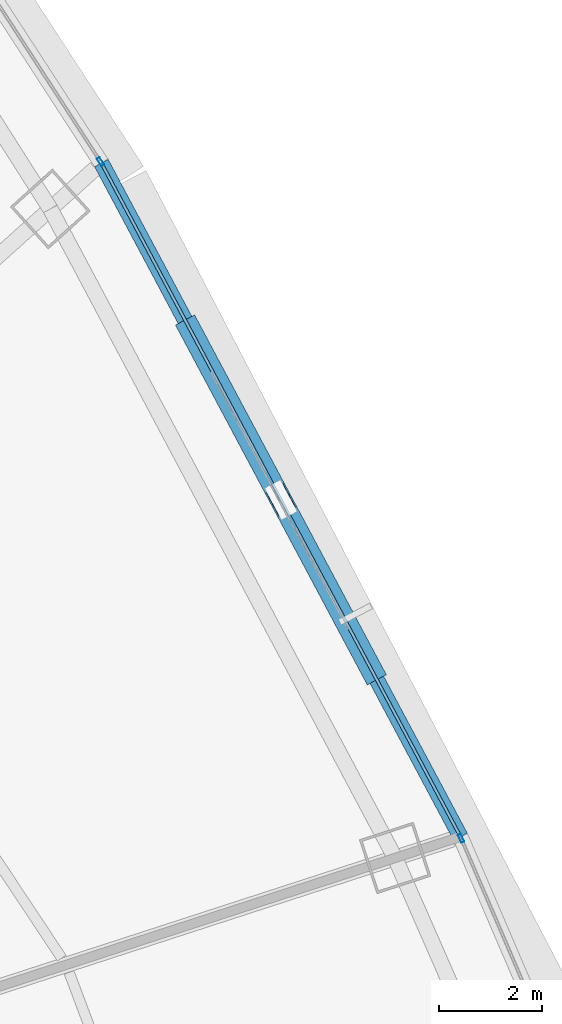
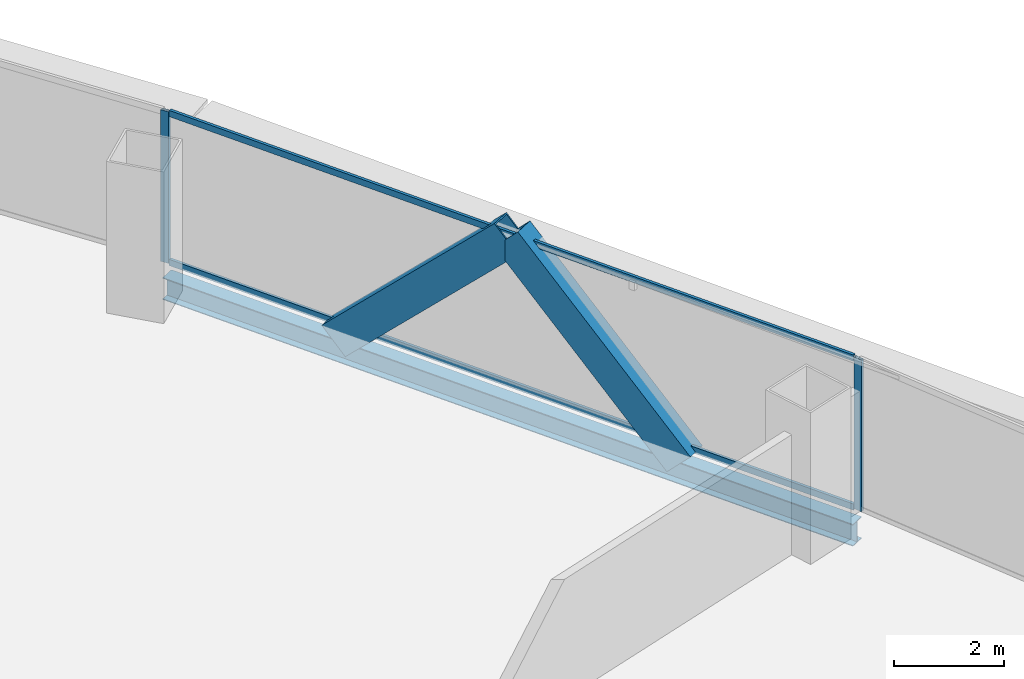
# One storey, part 24 of 37: 6 members, 1 beam, 3 elements without a shape of their own.
"""IFC4 building model written with IfcOpenShell, lengths in metres."""

from ifc_helpers import new_model, si_unit, direction, frame, origin, origin_2d, place, context, subcontext, project, spatial, hollow_rectangle, i_section, extrude, source, transform, mapped, material, layer, layer_set, material_profile, profile_set, type_object, element, aggregate, save


model = new_model("IFC4")

# Units and contexts
model_context = context("Model", 3, precision=1e-05, world=origin(), true_north=direction((0.0, 1.0)))
body_context = subcontext(model_context, "Body", "Model", "MODEL_VIEW")
ifc_project = project(units=[si_unit("LENGTHUNIT", "METRE"), si_unit("AREAUNIT", "SQUARE_METRE"), si_unit("VOLUMEUNIT", "CUBIC_METRE"), si_unit("PLANEANGLEUNIT", "RADIAN"), si_unit("MASSUNIT", "GRAM", prefix="KILO"), si_unit("THERMODYNAMICTEMPERATUREUNIT", "KELVIN"), si_unit("POWERUNIT", "WATT")], contexts=[model_context])

# Site, building, storey
site_placement = place(None, origin())
site = spatial("IfcSite", under=ifc_project, at=site_placement, CompositionType="ELEMENT")
building_placement = place(site_placement, origin())
building = spatial("IfcBuilding", under=site, at=building_placement, Name="Yunzhuo Pagoda Commons", CompositionType="ELEMENT")
storey_placement = place(building_placement, frame((0.0, 0.0, 52.179931640625)))
storey = spatial("IfcBuildingStorey", under=building, at=storey_placement, Name="L13", CompositionType="ELEMENT", Elevation=52.179931640625)

# Beam
ifc_material_1 = material(Name="Structural steel Q355B", Category="steel")
ifc_material_profile_1 = material_profile(ifc_material_1, i_section(OverallWidth=0.300048828125, OverallDepth=0.488037109375, WebThickness=0.010986328125, FlangeThickness=0.01806640625, at=origin_2d()), Name="Structural steel Q355B")
ifc_profile_set_1 = profile_set([ifc_material_profile_1], Name="Structural steel Q355B")
beam_type = type_object("IfcBeamType", Name="B-SP1 Beam HM 488x300x11x18", PredefinedType="BEAM", material=ifc_profile_set_1)
shared_shape_1 = source(origin(), body_context, "Body", "SweptSolid", [
    extrude(i_section(OverallWidth=0.300048828125, OverallDepth=0.488037109375, WebThickness=0.010986328125, FlangeThickness=0.01806640625, at=origin_2d()), origin(), (0.0, 0.0, 1.0), 14.806884765625),
])
beam_placement = place(storey_placement, frame((81.602783203125, 44.618408203125, -0.50390625), z_axis=(-0.470363145456, 0.882472952218, 0.0), x_axis=(-0.882472952218, -0.470363145456, 0.0)))
element("IfcBeam", 1, at=beam_placement, inside=storey, type_object=beam_type, Name="L13 facade edge spandrel beam F2.2", PredefinedType="BEAM", context=body_context, shape_type="MappedRepresentation", body=[
    mapped(shared_shape_1, transform((0.0, 0.0, 0.0), scale=1.0)),
])

# Members
ifc_material_2 = material(Name="Structural steel Q420B", Category="steel")
ifc_material_profile_2 = material_profile(ifc_material_2, hollow_rectangle(XDim=0.419921875, YDim=0.719970703125, WallThickness=0.028076171875, at=origin_2d()), Name="Structural steel Q420B")
ifc_profile_set_2 = profile_set([ifc_material_profile_2], Name="Structural steel Q420B")
member_type_1 = type_object("IfcMemberType", Name="M-DL1 Brace BOX 720x420x28", PredefinedType="BRACE", material=ifc_profile_set_2)
shared_shape_2 = source(origin(), body_context, "Body", "SweptSolid", [
    extrude(hollow_rectangle(XDim=0.419921875, YDim=0.719970703125, WallThickness=0.028076171875, at=origin_2d()), origin(), (0.0, 0.0, 1.0), 5.1845703125),
])
member_1_placement = place(storey_placement, frame((79.86181640625, 47.885009765625, -0.260009765625), z_axis=(-0.33579955389, 0.630065633299, 0.700182802804), x_axis=(-0.88248983647, -0.470331466657, 0.0)))
element("IfcMember", 2, at=member_1_placement, inside=storey, type_object=member_type_1, Name="L13 facade diamond brace F2.2L", PredefinedType="BRACE", context=body_context, shape_type="MappedRepresentation", body=[
    mapped(shared_shape_2, transform((0.0, 0.0, 0.0), scale=1.0)),
])
shared_shape_3 = source(origin(), body_context, "Body", "SweptSolid", [
    extrude(hollow_rectangle(XDim=0.419921875, YDim=0.719970703125, WallThickness=0.028076171875, at=origin_2d()), origin(), (0.0, 0.0, 1.0), 5.184814453125),
])
member_2_placement = place(storey_placement, frame((76.379638671875, 54.41845703125, -0.260009765625), z_axis=(0.335831369084, -0.630084064739, 0.700150957223), x_axis=(0.882477051666, 0.470355454187, 0.0)))
element("IfcMember", 3, at=member_2_placement, inside=storey, type_object=member_type_1, Name="L13 facade diamond brace F2.2R", PredefinedType="BRACE", context=body_context, shape_type="MappedRepresentation", body=[
    mapped(shared_shape_3, transform((0.0, 0.0, 0.0), scale=1.0)),
])

# Curtain wall, member
ifc_material_3 = material(Name="Anodized aluminium 6063-T6", Category="aluminium")
ifc_layer = layer(ifc_material_3, 0.1650390625)
ifc_layer_set = layer_set([ifc_layer], Name="Anodized aluminium 6063-T6")
curtain_wall_type = type_object("IfcCurtainWallType", Name="CW-LOW Low-Zone Ribbon Curtain Wall", PredefinedType="NOTDEFINED", material=ifc_layer_set)
curtain_wall_1_placement = place(storey_placement, origin())
curtain_wall_1 = element("IfcCurtainWall", 4, at=curtain_wall_1_placement, inside=storey, type_object=curtain_wall_type, Name="L13 curtain wall CW-L13-F2B2", PredefinedType="NOTDEFINED")
ifc_material_profile_3 = material_profile(ifc_material_3, hollow_rectangle(XDim=0.06494140625, YDim=0.1650390625, WallThickness=0.00390625, at=origin_2d()), Name="Anodized aluminium 6063-T6")
ifc_profile_set_3 = profile_set([ifc_material_profile_3], Name="Anodized aluminium 6063-T6")
member_type_2 = type_object("IfcMemberType", Name="CW-LOW-M Mullion RHS 165x65x4", PredefinedType="MULLION", material=ifc_profile_set_3)
shared_shape_4 = source(origin(), body_context, "Body", "SweptSolid", [
    extrude(hollow_rectangle(XDim=0.06494140625, YDim=0.1650390625, WallThickness=0.00390625, at=origin_2d()), origin(), (0.0, 0.0, 1.0), 3.3701171875),
])
member_3_placement = place(storey_placement, frame((81.61572265625, 44.58837890625, 0.0), z_axis=(0.0, 0.0, 1.0), x_axis=(-0.918993139703, -0.394273520769, 0.0)))
member_3 = element("IfcMember", 5, at=member_3_placement, type_object=member_type_2, Name="CW mullion 2", PredefinedType="MULLION", context=body_context, shape_type="MappedRepresentation", body=[
    mapped(shared_shape_4, transform((0.0, 0.0, 0.0), scale=1.0)),
])
aggregate(curtain_wall_1, [member_3])

curtain_wall_2_placement = place(storey_placement, origin())
curtain_wall_2 = element("IfcCurtainWall", 6, at=curtain_wall_2_placement, inside=storey, type_object=curtain_wall_type, Name="L13 curtain wall CW-L13-F2B4", PredefinedType="NOTDEFINED")
member_4_placement = place(storey_placement, frame((74.620361328125, 57.71240234375, 0.0), z_axis=(0.0, 0.0, 1.0), x_axis=(-0.838776712394, -0.544475552018, 0.0)))
member_4 = element("IfcMember", 7, at=member_4_placement, type_object=member_type_2, Name="CW mullion 1", PredefinedType="MULLION", context=body_context, shape_type="MappedRepresentation", body=[
    mapped(shared_shape_4, transform((0.0, 0.0, 0.0), scale=1.0)),
])
aggregate(curtain_wall_2, [member_4])

# Curtain wall, members
curtain_wall_3_placement = place(storey_placement, origin())
curtain_wall_3 = element("IfcCurtainWall", 8, at=curtain_wall_3_placement, inside=storey, type_object=curtain_wall_type, Name="L13 curtain wall CW-L13-F2B3", PredefinedType="NOTDEFINED")
ifc_material_profile_4 = material_profile(ifc_material_3, hollow_rectangle(XDim=0.06005859375, YDim=0.139892578125, WallThickness=0.00341796875, at=origin_2d()), Name="Anodized aluminium 6063-T6")
ifc_profile_set_4 = profile_set([ifc_material_profile_4], Name="Anodized aluminium 6063-T6")
member_type_3 = type_object("IfcMemberType", Name="CW-LOW-T Transom RHS 140x60x3.5", PredefinedType="USERDEFINED", material=ifc_profile_set_4)
shared_shape_5 = source(origin(), body_context, "Body", "SweptSolid", [
    extrude(hollow_rectangle(XDim=0.06005859375, YDim=0.139892578125, WallThickness=0.00341796875, at=origin_2d()), origin(), (0.0, 0.0, 1.0), 14.677001953125),
])
member_5_placement = place(storey_placement, frame((81.572265625, 44.67578125, 0.030029296875), z_axis=(-0.470362882364, 0.882473092448, 0.0), x_axis=(-0.882473092448, -0.470362882364, 0.0)))
member_5 = element("IfcMember", 9, at=member_5_placement, type_object=member_type_3, Name="CW transom 1.1", ObjectType="TRANSOM", PredefinedType="USERDEFINED", context=body_context, shape_type="MappedRepresentation", body=[
    mapped(shared_shape_5, transform((0.0, 0.0, 0.0), scale=1.0)),
])
member_6_placement = place(storey_placement, frame((81.572265625, 44.67578125, 3.34033203125), z_axis=(-0.470362882364, 0.882473092448, 0.0), x_axis=(-0.882473092448, -0.470362882364, 0.0)))
member_6 = element("IfcMember", 10, at=member_6_placement, type_object=member_type_3, Name="CW transom 1.2", ObjectType="TRANSOM", PredefinedType="USERDEFINED", context=body_context, shape_type="MappedRepresentation", body=[
    mapped(shared_shape_5, transform((0.0, 0.0, 0.0), scale=1.0)),
])
aggregate(curtain_wall_3, [member_5, member_6])

save(model, "model.ifc")
